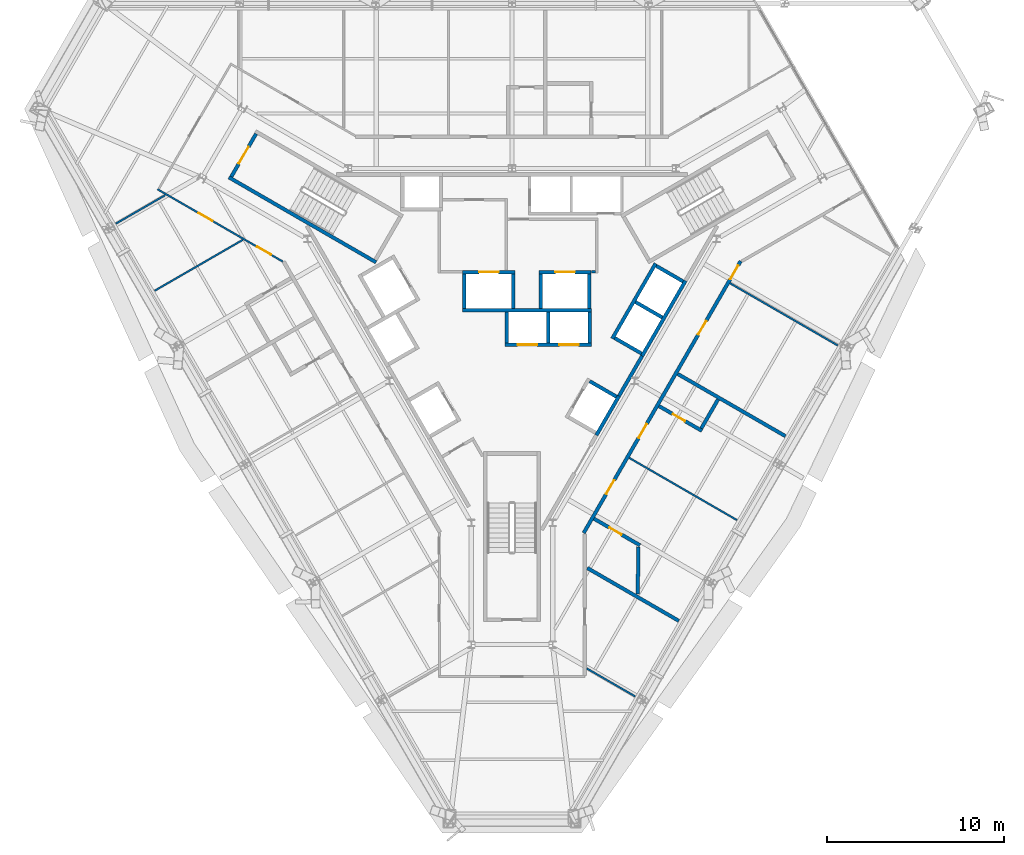
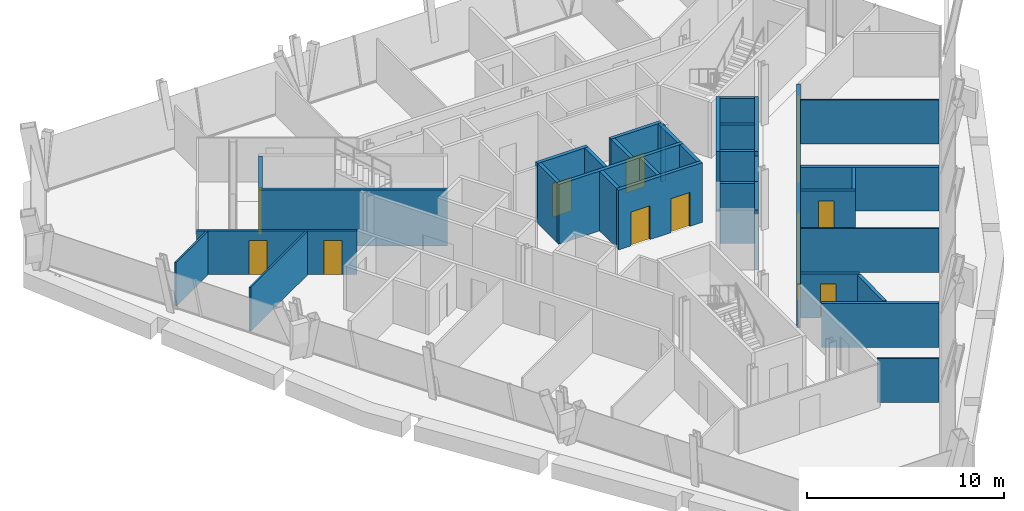
# One storey, part 8 of 12: 35 walls, 13 doors, 13 openings.
"""IFC4 building model written with IfcOpenShell, lengths in metres."""

from ifc_helpers import new_model, si_unit, direction, frame, frame_2d, origin, place, context, subcontext, project, spatial, rectangle, extrude, material, layer, layer_set, type_object, element, fill, save


model = new_model("IFC4")

# Units and contexts
model_context = context("Model", 3, precision=1e-05, world=origin(), true_north=direction((0.0, 1.0)))
body_context = subcontext(model_context, "Body", "Model", "MODEL_VIEW")
ifc_project = project(units=[si_unit("LENGTHUNIT", "METRE"), si_unit("AREAUNIT", "SQUARE_METRE"), si_unit("VOLUMEUNIT", "CUBIC_METRE"), si_unit("PLANEANGLEUNIT", "RADIAN"), si_unit("MASSUNIT", "GRAM", prefix="KILO")], contexts=[model_context])

# Site, building, storey
site_placement = place(None, origin())
site = spatial("IfcSite", under=ifc_project, at=site_placement, CompositionType="ELEMENT")
building_placement = place(site_placement, origin())
building = spatial("IfcBuilding", under=site, at=building_placement, Name="Verrane Prism Tower", CompositionType="ELEMENT")
storey_placement = place(building_placement, frame((0.0, 0.0, 174.699951171875)))
storey = spatial("IfcBuildingStorey", under=building, at=storey_placement, Name="L43", CompositionType="ELEMENT", Elevation=174.699951171875)

# Wall
ifc_material_1 = material(Name="Gypsum board partition", Category="other")
ifc_layer_1 = layer(ifc_material_1, 0.199951171875)
ifc_layer_set_1 = layer_set([ifc_layer_1], Name="CW-200 core boundary wall 2 h")
wall_type_1 = type_object("IfcWallType", Name="CW-200 core boundary wall 2 h", PredefinedType="PARTITIONING", material=ifc_layer_set_1)
wall_1_placement = place(storey_placement, frame((6.0419921875, -4.85498046875, 0.0), z_axis=(0.0, 0.0, 1.0), x_axis=(0.500252727967, 0.865879442048, 0.0)))
element("IfcWall", 1, at=wall_1_placement, inside=storey, type_object=wall_type_1, Name="Core boundary wall CW3-007", PredefinedType="PARTITIONING", context=body_context, shape_type="SweptSolid", body=[
    extrude(rectangle(XDim=2.616943359375, YDim=0.199951171875, at=frame_2d((1.30859375, 0.0))), origin(), (0.0, 0.0, 1.0), 3.449951171875),
])

# Wall, opening, door
ifc_material_2 = material(Name="Concrete C40/50", Category="concrete")
ifc_layer_2 = layer(ifc_material_2, 0.199951171875)
ifc_layer_set_2 = layer_set([ifc_layer_2], Name="CW-200 stair core wall concrete C40/50 3 h")
wall_type_2 = type_object("IfcWallType", Name="CW-200 stair core wall concrete C40/50 3 h", PredefinedType="PARTITIONING", material=ifc_layer_set_2)
wall_2_placement = place(storey_placement, frame((-14.455322265625, 9.96240234375, 0.0), z_axis=(0.0, 0.0, 1.0), x_axis=(-0.500049511043, -0.865996816683, 0.0)))
wall_2 = element("IfcWall", 2, at=wall_2_placement, inside=storey, type_object=wall_type_2, Name="Stair 2 enclosure wall", PredefinedType="PARTITIONING", context=body_context, shape_type="SweptSolid", body=[
    extrude(rectangle(XDim=2.800048828125, YDim=0.199951171875, at=frame_2d((1.39990234375, 0.0))), origin(), (0.0, 0.0, 1.0), 3.449951171875),
])
opening_1_placement = place(wall_2_placement, frame((0.849853515625, 0.0, 0.0)))
opening_1 = element("IfcOpeningElement", 3, at=opening_1_placement, cuts=wall_2, Name="Opening D42501", PredefinedType="OPENING", context=body_context, shape_type="SweptSolid", body=[
    extrude(rectangle(XDim=1.10009765625, YDim=2.10009765625, at=frame_2d((0.550048828125, 1.050048828125))), frame((0.0, 0.10986328125, 0.0), z_axis=(0.0, -1.0, 0.0), x_axis=(1.0, 0.0, 0.0)), (0.0, 0.0, 1.0), 0.219970703125),
])
ifc_material_3 = material(Name="Timber veneered door leaf", Category="wood")
door_type_1 = type_object("IfcDoorType", Name="DR-1100x2100 FD90 single leaf stair", OperationType="NOTDEFINED", PredefinedType="DOOR", material=ifc_material_3)
door_1_placement = place(opening_1_placement, origin())
door_1 = element("IfcDoor", 4, at=door_1_placement, inside=storey, type_object=door_type_1, Name="Stair 2 door", OperationType="SINGLE_SWING_RIGHT", OverallHeight=2.10009765625, OverallWidth=1.10009765625, PredefinedType="DOOR", context=body_context, shape_type="SweptSolid", body=[
    extrude(rectangle(XDim=1.10009765625, YDim=2.10009765625, at=frame_2d((0.550048828125, 1.050048828125))), frame((0.0, 0.02490234375, 0.0), z_axis=(0.0, -1.0, 0.0), x_axis=(1.0, 0.0, 0.0)), (0.0, 0.0, 1.0), 0.050048828125),
])
fill(opening_1, door_1)

# Wall
wall_3_placement = place(storey_placement, frame((-7.67822265625, 2.700927734375, 0.0), z_axis=(0.0, 0.0, 1.0), x_axis=(-0.866019993635, 0.500009370536, 0.0)))
element("IfcWall", 5, at=wall_3_placement, inside=storey, type_object=wall_type_2, Name="Stair 2 enclosure wall", PredefinedType="PARTITIONING", context=body_context, shape_type="SweptSolid", body=[
    extrude(rectangle(XDim=9.599853515625, YDim=0.199951171875, at=frame_2d((4.7998046875, 0.0))), origin(), (0.0, 0.0, 1.0), 3.449951171875),
])

# Wall, openings, doors
ifc_material_4 = material(Name="Gypsum board shaft wall assembly", Category="other")
ifc_layer_3 = layer(ifc_material_4, 0.199951171875)
ifc_layer_set_3 = layer_set([ifc_layer_3], Name="HW-200 lift shaft wall 2 h")
wall_type_3 = type_object("IfcWallType", Name="HW-200 lift shaft wall 2 h", PredefinedType="PARTITIONING", material=ifc_layer_set_3)
wall_4_placement = place(storey_placement, frame((-0.405029296875, -1.949951171875, 0.0), z_axis=(0.0, 0.0, 1.0), x_axis=(1.0, 0.0, 0.0)))
wall_4 = element("IfcWall", 6, at=wall_4_placement, inside=storey, type_object=wall_type_3, Name="Lift shaft wall", PredefinedType="PARTITIONING", context=body_context, shape_type="SweptSolid", body=[
    extrude(rectangle(XDim=4.900146484375, YDim=0.199951171875, at=frame_2d((2.4501953125, 0.0))), origin(), (0.0, 0.0, 1.0), 3.699951171875),
])
opening_2_placement = place(wall_4_placement, frame((0.72509765625, 0.0, 0.0)))
opening_2 = element("IfcOpeningElement", 7, at=opening_2_placement, cuts=wall_4, Name="Opening D42503", PredefinedType="OPENING", context=body_context, shape_type="SweptSolid", body=[
    extrude(rectangle(XDim=1.10009765625, YDim=2.10009765625, at=frame_2d((0.550048828125, 1.050048828125))), frame((0.0, 0.10986328125, 0.0), z_axis=(0.0, -1.0, 0.0), x_axis=(1.0, 0.0, 0.0)), (0.0, 0.0, 1.0), 0.219970703125),
])
opening_3_placement = place(wall_4_placement, frame((3.074951171875, 0.0, 0.0)))
opening_3 = element("IfcOpeningElement", 8, at=opening_3_placement, cuts=wall_4, Name="Opening D42504", PredefinedType="OPENING", context=body_context, shape_type="SweptSolid", body=[
    extrude(rectangle(XDim=1.10009765625, YDim=2.10009765625, at=frame_2d((0.550048828125, 1.050048828125))), frame((0.0, 0.10986328125, 0.0), z_axis=(0.0, -1.0, 0.0), x_axis=(1.0, 0.0, 0.0)), (0.0, 0.0, 1.0), 0.219970703125),
])
ifc_material_5 = material(Name="Stainless steel sliding landing door", Category="steel")
door_type_2 = type_object("IfcDoorType", Name="LD-1100x2100 lift landing door FD90 sliding", OperationType="NOTDEFINED", PredefinedType="DOOR", material=ifc_material_5)
door_2_placement = place(opening_2_placement, origin())
door_2 = element("IfcDoor", 9, at=door_2_placement, inside=storey, type_object=door_type_2, Name="Bank B lift 1 landing door", OperationType="SLIDING_TO_LEFT", OverallHeight=2.10009765625, OverallWidth=1.10009765625, PredefinedType="DOOR", context=body_context, shape_type="SweptSolid", body=[
    extrude(rectangle(XDim=1.10009765625, YDim=2.10009765625, at=frame_2d((0.550048828125, 1.050048828125))), frame((0.0, 0.02490234375, 0.0), z_axis=(0.0, -1.0, 0.0), x_axis=(1.0, 0.0, 0.0)), (0.0, 0.0, 1.0), 0.050048828125),
])
fill(opening_2, door_2)
door_3_placement = place(opening_3_placement, origin())
door_3 = element("IfcDoor", 10, at=door_3_placement, inside=storey, type_object=door_type_2, Name="Bank B lift 2 landing door", OperationType="SLIDING_TO_RIGHT", OverallHeight=2.10009765625, OverallWidth=1.10009765625, PredefinedType="DOOR", context=body_context, shape_type="SweptSolid", body=[
    extrude(rectangle(XDim=1.10009765625, YDim=2.10009765625, at=frame_2d((0.550048828125, 1.050048828125))), frame((0.0, 0.02490234375, 0.0), z_axis=(0.0, -1.0, 0.0), x_axis=(1.0, 0.0, 0.0)), (0.0, 0.0, 1.0), 0.050048828125),
])
fill(opening_3, door_3)

# Wall
wall_5_placement = place(storey_placement, frame((-2.784912109375, 0.0, 0.0), z_axis=(0.0, 0.0, 1.0), x_axis=(1.0, 0.0, 0.0)))
element("IfcWall", 11, at=wall_5_placement, inside=storey, type_object=wall_type_3, Name="Lift shaft wall", PredefinedType="PARTITIONING", context=body_context, shape_type="SweptSolid", body=[
    extrude(rectangle(XDim=7.280029296875, YDim=0.199951171875, at=frame_2d((3.64013671875, 0.0))), origin(), (0.0, 0.0, 1.0), 3.699951171875),
])

# Wall, opening, door
wall_6_placement = place(storey_placement, frame((-2.784912109375, 2.14990234375, 0.0), z_axis=(0.0, 0.0, 1.0), x_axis=(1.0, 0.0, 0.0)))
wall_6 = element("IfcWall", 12, at=wall_6_placement, inside=storey, type_object=wall_type_3, Name="Lift shaft wall", PredefinedType="PARTITIONING", context=body_context, shape_type="SweptSolid", body=[
    extrude(rectangle(XDim=2.949951171875, YDim=0.199951171875, at=frame_2d((1.47509765625, 0.0))), origin(), (0.0, 0.0, 1.0), 3.699951171875),
])
opening_4_placement = place(wall_6_placement, frame((0.925048828125, 0.0, 0.0)))
opening_4 = element("IfcOpeningElement", 13, at=opening_4_placement, cuts=wall_6, Name="Opening D42507", PredefinedType="OPENING", context=body_context, shape_type="SweptSolid", body=[
    extrude(rectangle(XDim=1.10009765625, YDim=2.10009765625, at=frame_2d((0.550048828125, 1.050048828125))), frame((0.0, 0.10986328125, 0.0), z_axis=(0.0, -1.0, 0.0), x_axis=(1.0, 0.0, 0.0)), (0.0, 0.0, 1.0), 0.219970703125),
])
door_4_placement = place(opening_4_placement, origin())
door_4 = element("IfcDoor", 14, at=door_4_placement, inside=storey, type_object=door_type_2, Name="Fire service lift 1 landing door", OperationType="SLIDING_TO_LEFT", OverallHeight=2.10009765625, OverallWidth=1.10009765625, PredefinedType="DOOR", context=body_context, shape_type="SweptSolid", body=[
    extrude(rectangle(XDim=1.10009765625, YDim=2.10009765625, at=frame_2d((0.550048828125, 1.050048828125))), frame((0.0, 0.02490234375, 0.0), z_axis=(0.0, -1.0, 0.0), x_axis=(1.0, 0.0, 0.0)), (0.0, 0.0, 1.0), 0.050048828125),
])
fill(opening_4, door_4)

wall_7_placement = place(storey_placement, frame((1.52490234375, 2.14990234375, 0.0), z_axis=(0.0, 0.0, 1.0), x_axis=(1.0, 0.0, 0.0)))
wall_7 = element("IfcWall", 15, at=wall_7_placement, inside=storey, type_object=wall_type_3, Name="Lift shaft wall", PredefinedType="PARTITIONING", context=body_context, shape_type="SweptSolid", body=[
    extrude(rectangle(XDim=2.9501953125, YDim=0.199951171875, at=frame_2d((1.47509765625, 0.0))), origin(), (0.0, 0.0, 1.0), 3.699951171875),
])
opening_5_placement = place(wall_7_placement, frame((0.925048828125, 0.0, 0.0)))
opening_5 = element("IfcOpeningElement", 16, at=opening_5_placement, cuts=wall_7, Name="Opening D42508", PredefinedType="OPENING", context=body_context, shape_type="SweptSolid", body=[
    extrude(rectangle(XDim=1.10009765625, YDim=2.10009765625, at=frame_2d((0.550048828125, 1.050048828125))), frame((0.0, 0.10986328125, 0.0), z_axis=(0.0, -1.0, 0.0), x_axis=(1.0, 0.0, 0.0)), (0.0, 0.0, 1.0), 0.219970703125),
])
door_5_placement = place(opening_5_placement, origin())
door_5 = element("IfcDoor", 17, at=door_5_placement, inside=storey, type_object=door_type_2, Name="Fire service lift 2 landing door", OperationType="SLIDING_TO_RIGHT", OverallHeight=2.10009765625, OverallWidth=1.10009765625, PredefinedType="DOOR", context=body_context, shape_type="SweptSolid", body=[
    extrude(rectangle(XDim=1.10009765625, YDim=2.10009765625, at=frame_2d((0.550048828125, 1.050048828125))), frame((0.0, 0.02490234375, 0.0), z_axis=(0.0, -1.0, 0.0), x_axis=(1.0, 0.0, 0.0)), (0.0, 0.0, 1.0), 0.050048828125),
])
fill(opening_5, door_5)

# Walls
wall_8_placement = place(storey_placement, frame((4.766357421875, -7.064697265625, 0.0), z_axis=(0.0, 0.0, 1.0), x_axis=(0.499948979701, 0.866054858364, 0.0)))
element("IfcWall", 18, at=wall_8_placement, inside=storey, type_object=wall_type_3, Name="Lift shaft wall", PredefinedType="PARTITIONING", context=body_context, shape_type="SweptSolid", body=[
    extrude(rectangle(XDim=2.550048828125, YDim=0.199951171875, at=frame_2d((1.27490234375, 0.0))), origin(), (0.0, 0.0, 1.0), 3.699951171875),
])
wall_9_placement = place(storey_placement, frame((7.351318359375, -2.587158203125, 0.0), z_axis=(0.0, 0.0, 1.0), x_axis=(0.500002801628, 0.866023786258, 0.0)))
element("IfcWall", 19, at=wall_9_placement, inside=storey, type_object=wall_type_3, Name="Lift shaft wall", PredefinedType="PARTITIONING", context=body_context, shape_type="SweptSolid", body=[
    extrude(rectangle(XDim=4.89990234375, YDim=0.199951171875, at=frame_2d((2.449951171875, 0.0))), origin(), (0.0, 0.0, 1.0), 3.699951171875),
])
wall_10_placement = place(storey_placement, frame((5.66259765625, -1.6123046875, 0.0), z_axis=(0.0, 0.0, 1.0), x_axis=(0.49998122708, 0.866036242063, 0.0)))
element("IfcWall", 20, at=wall_10_placement, inside=storey, type_object=wall_type_3, Name="Lift shaft wall", PredefinedType="PARTITIONING", context=body_context, shape_type="SweptSolid", body=[
    extrude(rectangle(XDim=4.900146484375, YDim=0.199951171875, at=frame_2d((2.4501953125, 0.0))), origin(), (0.0, 0.0, 1.0), 3.699951171875),
])
wall_11_placement = place(storey_placement, frame((4.39501953125, -1.85009765625, 0.0), z_axis=(0.0, 0.0, 1.0), x_axis=(0.0, 1.0, 0.0)))
element("IfcWall", 21, at=wall_11_placement, inside=storey, type_object=wall_type_3, Name="Lift shaft wall", PredefinedType="PARTITIONING", context=body_context, shape_type="SweptSolid", body=[
    extrude(rectangle(XDim=1.75, YDim=0.199951171875, at=frame_2d((0.875, 0.0))), origin(), (0.0, 0.0, 1.0), 3.699951171875),
])
wall_12_placement = place(storey_placement, frame((4.375, 0.10009765625, 0.0), z_axis=(0.0, 0.0, 1.0), x_axis=(0.0, 1.0, 0.0)))
element("IfcWall", 22, at=wall_12_placement, inside=storey, type_object=wall_type_3, Name="Lift shaft wall", PredefinedType="PARTITIONING", context=body_context, shape_type="SweptSolid", body=[
    extrude(rectangle(XDim=1.949951171875, YDim=0.199951171875, at=frame_2d((0.97509765625, 0.0))), origin(), (0.0, 0.0, 1.0), 3.699951171875),
])
wall_13_placement = place(storey_placement, frame((2.044921875, -1.85009765625, 0.0), z_axis=(0.0, 0.0, 1.0), x_axis=(0.0, 1.0, 0.0)))
element("IfcWall", 23, at=wall_13_placement, inside=storey, type_object=wall_type_3, Name="Lift shaft wall", PredefinedType="PARTITIONING", context=body_context, shape_type="SweptSolid", body=[
    extrude(rectangle(XDim=1.75, YDim=0.199951171875, at=frame_2d((0.875, 0.0))), origin(), (0.0, 0.0, 1.0), 3.699951171875),
])
for number, where, z_axis, x_axis, name in (
    (24, (1.625, 0.10009765625, 0.0), (0.0, 0.0, 1.0), (0.0, 1.0, 0.0), "Lift shaft wall"),
    (25, (0.06494140625, 0.10009765625, 0.0), (0.0, 0.0, 1.0), (0.0, 1.0, 0.0), "Lift shaft wall"),
):
    element("IfcWall", number, at=place(storey_placement, frame(where, z_axis=z_axis, x_axis=x_axis)), inside=storey, type_object=wall_type_3, Name=name, PredefinedType="PARTITIONING", context=body_context, shape_type="SweptSolid", body=[
        extrude(rectangle(XDim=1.949951171875, YDim=0.199951171875, at=frame_2d((0.97509765625, 0.0))), origin(), (0.0, 0.0, 1.0), 3.699951171875),
    ])
wall_14_placement = place(storey_placement, frame((-0.304931640625, -1.85009765625, 0.0), z_axis=(0.0, 0.0, 1.0), x_axis=(0.0, 1.0, 0.0)))
element("IfcWall", 26, at=wall_14_placement, inside=storey, type_object=wall_type_3, Name="Lift shaft wall", PredefinedType="PARTITIONING", context=body_context, shape_type="SweptSolid", body=[
    extrude(rectangle(XDim=1.75, YDim=0.199951171875, at=frame_2d((0.875, 0.0))), origin(), (0.0, 0.0, 1.0), 3.699951171875),
])
wall_15_placement = place(storey_placement, frame((-2.68505859375, 0.10009765625, 0.0), z_axis=(0.0, 0.0, 1.0), x_axis=(0.0, 1.0, 0.0)))
element("IfcWall", 27, at=wall_15_placement, inside=storey, type_object=wall_type_3, Name="Lift shaft wall", PredefinedType="PARTITIONING", context=body_context, shape_type="SweptSolid", body=[
    extrude(rectangle(XDim=1.949951171875, YDim=0.199951171875, at=frame_2d((0.97509765625, 0.0))), origin(), (0.0, 0.0, 1.0), 3.699951171875),
])
wall_16_placement = place(storey_placement, frame((9.66455078125, 1.61962890625, 0.0), z_axis=(0.0, 0.0, 1.0), x_axis=(-0.866002029911, 0.500040482552, 0.0)))
element("IfcWall", 28, at=wall_16_placement, inside=storey, type_object=wall_type_3, Name="Lift shaft wall", PredefinedType="PARTITIONING", context=body_context, shape_type="SweptSolid", body=[
    extrude(rectangle(XDim=1.749755859375, YDim=0.199951171875, at=frame_2d((0.875, 0.0))), origin(), (0.0, 0.0, 1.0), 3.699951171875),
])
for number, where, z_axis, x_axis, name in (
    (29, (8.48974609375, -0.41552734375, 0.0), (0.0, 0.0, 1.0), (-0.866036909293, 0.499980071345, 0.0), "Lift shaft wall"),
    (30, (7.314697265625, -2.45068359375, 0.0), (0.0, 0.0, 1.0), (-0.866036909293, 0.499980071345, 0.0), "Lift shaft wall"),
):
    element("IfcWall", number, at=place(storey_placement, frame(where, z_axis=z_axis, x_axis=x_axis)), inside=storey, type_object=wall_type_3, Name=name, PredefinedType="PARTITIONING", context=body_context, shape_type="SweptSolid", body=[
        extrude(rectangle(XDim=1.75, YDim=0.199951171875, at=frame_2d((0.875, 0.0))), origin(), (0.0, 0.0, 1.0), 3.699951171875),
    ])
wall_17_placement = place(storey_placement, frame((5.904541015625, -4.892822265625, 0.0), z_axis=(0.0, 0.0, 1.0), x_axis=(-0.866002029911, 0.500040482552, 0.0)))
element("IfcWall", 31, at=wall_17_placement, inside=storey, type_object=wall_type_3, Name="Lift shaft wall", PredefinedType="PARTITIONING", context=body_context, shape_type="SweptSolid", body=[
    extrude(rectangle(XDim=1.749755859375, YDim=0.199951171875, at=frame_2d((0.875, 0.0))), origin(), (0.0, 0.0, 1.0), 3.699951171875),
])
ifc_material_6 = material(Name="Gypsum board partition", Category="other")
ifc_layer_4 = layer(ifc_material_6, 0.14990234375)
ifc_layer_set_4 = layer_set([ifc_layer_4], Name="LF-150 firefighting lobby wall 1 h")
wall_type_4 = type_object("IfcWallType", Name="LF-150 firefighting lobby wall 1 h", PredefinedType="PARTITIONING", material=ifc_layer_set_4)
wall_18_placement = place(storey_placement, frame((4.47705078125, 2.159912109375, 0.0), z_axis=(0.0, 0.0, 1.0), x_axis=(1.0, 0.0, 0.0)))
element("IfcWall", 32, at=wall_18_placement, inside=storey, type_object=wall_type_4, Name="Firefighting lobby wall LF1-006", PredefinedType="PARTITIONING", context=body_context, shape_type="SweptSolid", body=[
    extrude(rectangle(XDim=0.238037109375, YDim=0.14990234375, at=frame_2d((0.119140625, 0.0))), origin(), (0.0, 0.0, 1.0), 3.449951171875),
])
ifc_material_7 = material(Name="Gypsum board partition", Category="other")
ifc_layer_5 = layer(ifc_material_7, 0.10009765625)
ifc_layer_set_5 = layer_set([ifc_layer_5], Name="PW-100 room partition")
wall_type_5 = type_object("IfcWallType", Name="PW-100 room partition", PredefinedType="PARTITIONING", material=ifc_layer_set_5)
wall_19_placement = place(storey_placement, frame((-22.375, 4.885009765625, 0.0), z_axis=(0.0, 0.0, 1.0), x_axis=(0.866164079783, 0.499759729163, 0.0)))
element("IfcWall", 33, at=wall_19_placement, inside=storey, type_object=wall_type_5, Name="Room partition 001", PredefinedType="PARTITIONING", context=body_context, shape_type="SweptSolid", body=[
    extrude(rectangle(XDim=3.212890625, YDim=0.10009765625, at=frame_2d((1.6064453125, 0.0))), origin(), (0.0, 0.0, 1.0), 2.713134765625),
])
wall_20_placement = place(storey_placement, frame((-20.1865234375, 1.09423828125, 0.0), z_axis=(0.0, 0.0, 1.0), x_axis=(0.866060256018, 0.499939629302, 0.0)))
element("IfcWall", 34, at=wall_20_placement, inside=storey, type_object=wall_type_5, Name="Room partition 002", PredefinedType="PARTITIONING", context=body_context, shape_type="SweptSolid", body=[
    extrude(rectangle(XDim=5.741455078125, YDim=0.10009765625, at=frame_2d((2.87060546875, 0.0))), origin(), (0.0, 0.0, 1.0), 2.713134765625),
])

# Wall, openings, doors
wall_21_placement = place(storey_placement, frame((-12.95166015625, 2.744384765625, 0.0), z_axis=(0.0, 0.0, 1.0), x_axis=(-0.86608949446, 0.499888975259, 0.0)))
wall_21 = element("IfcWall", 35, at=wall_21_placement, inside=storey, type_object=wall_type_5, Name="Room partition 004", PredefinedType="PARTITIONING", context=body_context, shape_type="SweptSolid", body=[
    extrude(rectangle(XDim=8.164794921875, YDim=0.10009765625, at=frame_2d((4.08251953125, 0.0))), origin(), (0.0, 0.0, 1.0), 2.713134765625),
])
opening_6_placement = place(wall_21_placement, frame((4.5810546875, 0.0, 0.0)))
opening_6 = element("IfcOpeningElement", 36, at=opening_6_placement, cuts=wall_21, Name="Opening D42010", PredefinedType="OPENING", context=body_context, shape_type="SweptSolid", body=[
    extrude(rectangle(XDim=0.89990234375, YDim=2.10009765625, at=frame_2d((0.449951171875, 1.050048828125))), frame((0.0, 0.06005859375, 0.0), z_axis=(0.0, -1.0, 0.0), x_axis=(1.0, 0.0, 0.0)), (0.0, 0.0, 1.0), 0.1201171875),
])
opening_7_placement = place(wall_21_placement, frame((0.776123046875, 0.0, 0.0)))
opening_7 = element("IfcOpeningElement", 37, at=opening_7_placement, cuts=wall_21, Name="Opening D42011", PredefinedType="OPENING", context=body_context, shape_type="SweptSolid", body=[
    extrude(rectangle(XDim=0.89990234375, YDim=2.10009765625, at=frame_2d((0.449951171875, 1.050048828125))), frame((0.0, 0.06005859375, 0.0), z_axis=(0.0, -1.0, 0.0), x_axis=(1.0, 0.0, 0.0)), (0.0, 0.0, 1.0), 0.1201171875),
])
ifc_material_8 = material(Name="Timber veneered door leaf", Category="wood")
door_type_3 = type_object("IfcDoorType", Name="DR-900x2100 single leaf inner", OperationType="NOTDEFINED", PredefinedType="DOOR", material=ifc_material_8)
door_6_placement = place(opening_7_placement, origin())
door_6 = element("IfcDoor", 38, at=door_6_placement, inside=storey, type_object=door_type_3, Name="Master Bedroom door", OperationType="SINGLE_SWING_RIGHT", OverallHeight=2.10009765625, OverallWidth=0.89990234375, PredefinedType="DOOR", context=body_context, shape_type="SweptSolid", body=[
    extrude(rectangle(XDim=0.89990234375, YDim=2.10009765625, at=frame_2d((0.449951171875, 1.050048828125))), frame((0.0, 0.02490234375, 0.0), z_axis=(0.0, -1.0, 0.0), x_axis=(1.0, 0.0, 0.0)), (0.0, 0.0, 1.0), 0.050048828125),
])
fill(opening_7, door_6)
ifc_material_9 = material(Name="Timber veneered door leaf", Category="wood")
door_type_4 = type_object("IfcDoorType", Name="DR-900x2100 single leaf unit", OperationType="NOTDEFINED", PredefinedType="DOOR", material=ifc_material_9)
door_7_placement = place(opening_6_placement, origin())
door_7 = element("IfcDoor", 39, at=door_7_placement, inside=storey, type_object=door_type_4, Name="Kitchen door", OperationType="SINGLE_SWING_LEFT", OverallHeight=2.10009765625, OverallWidth=0.89990234375, PredefinedType="DOOR", context=body_context, shape_type="SweptSolid", body=[
    extrude(rectangle(XDim=0.89990234375, YDim=2.10009765625, at=frame_2d((0.449951171875, 1.050048828125))), frame((0.0, 0.02490234375, 0.0), z_axis=(0.0, -1.0, 0.0), x_axis=(1.0, 0.0, 0.0)), (0.0, 0.0, 1.0), 0.050048828125),
])
fill(opening_6, door_7)

# Walls
wall_22_placement = place(storey_placement, frame((4.22509765625, -20.2421875, 0.0), z_axis=(0.0, 0.0, 1.0), x_axis=(0.866015493058, -0.500017165488, 0.0)))
element("IfcWall", 40, at=wall_22_placement, inside=storey, type_object=wall_type_5, Name="Room partition 027", PredefinedType="PARTITIONING", context=body_context, shape_type="SweptSolid", body=[
    extrude(rectangle(XDim=3.1552734375, YDim=0.10009765625, at=frame_2d((1.57763671875, 0.0))), origin(), (0.0, 0.0, 1.0), 2.713134765625),
])
wall_23_placement = place(storey_placement, frame((6.619873046875, -8.346435546875, 0.0), z_axis=(0.0, 0.0, 1.0), x_axis=(0.866005124189, -0.500035123644, 0.0)))
element("IfcWall", 41, at=wall_23_placement, inside=storey, type_object=wall_type_5, Name="Room partition 032", PredefinedType="PARTITIONING", context=body_context, shape_type="SweptSolid", body=[
    extrude(rectangle(XDim=7.029296875, YDim=0.10009765625, at=frame_2d((3.5146484375, 0.0))), origin(), (0.0, 0.0, 1.0), 2.713134765625),
])
wall_24_placement = place(storey_placement, frame((12.310546875, 1.51904296875, 0.0), z_axis=(0.0, 0.0, 1.0), x_axis=(0.86600002964, -0.500043946731, 0.0)))
element("IfcWall", 42, at=wall_24_placement, inside=storey, type_object=wall_type_5, Name="Room partition 039", PredefinedType="PARTITIONING", context=body_context, shape_type="SweptSolid", body=[
    extrude(rectangle(XDim=7.033447265625, YDim=0.10009765625, at=frame_2d((3.5166015625, 0.0))), origin(), (0.0, 0.0, 1.0), 2.713134765625),
])
ifc_material_10 = material(Name="Gypsum board partition", Category="other")
ifc_layer_6 = layer(ifc_material_10, 0.199951171875)
ifc_layer_set_6 = layer_set([ifc_layer_6], Name="PW-200 plumbing wall")
wall_type_6 = type_object("IfcWallType", Name="PW-200 plumbing wall", PredefinedType="PARTITIONING", material=ifc_layer_set_6)
wall_25_placement = place(storey_placement, frame((4.25, -14.565673828125, 0.0), z_axis=(0.0, 0.0, 1.0), x_axis=(0.865990187664, -0.500060991149, 0.0)))
element("IfcWall", 43, at=wall_25_placement, inside=storey, type_object=wall_type_6, Name="Plumbing wall 028", PredefinedType="PARTITIONING", context=body_context, shape_type="SweptSolid", body=[
    extrude(rectangle(XDim=5.971923828125, YDim=0.199951171875, at=frame_2d((2.98583984375, 0.0))), origin(), (0.0, 0.0, 1.0), 2.713134765625),
])

# Wall, openings, doors
wall_26_placement = place(storey_placement, frame((12.91552734375, 2.766845703125, 0.0), z_axis=(0.0, 0.0, 1.0), x_axis=(-0.499999767326, -0.866025538119, 0.0)))
wall_26 = element("IfcWall", 44, at=wall_26_placement, inside=storey, type_object=wall_type_6, Name="Plumbing wall 029", PredefinedType="PARTITIONING", context=body_context, shape_type="SweptSolid", body=[
    extrude(rectangle(XDim=17.73095703125, YDim=0.199951171875, at=frame_2d((8.865478515625, 0.0))), origin(), (0.0, 0.0, 1.0), 2.713134765625),
])
opening_8_placement = place(wall_26_placement, frame((14.29296875, 0.0, 0.0)))
opening_8 = element("IfcOpeningElement", 45, at=opening_8_placement, cuts=wall_26, Name="Opening D42020", PredefinedType="OPENING", context=body_context, shape_type="SweptSolid", body=[
    extrude(rectangle(XDim=0.89990234375, YDim=2.10009765625, at=frame_2d((0.449951171875, 1.050048828125))), frame((0.0, 0.10986328125, 0.0), z_axis=(0.0, -1.0, 0.0), x_axis=(1.0, 0.0, 0.0)), (0.0, 0.0, 1.0), 0.219970703125),
])
opening_9_placement = place(wall_26_placement, frame((10.6220703125, 0.0, 0.0)))
opening_9 = element("IfcOpeningElement", 46, at=opening_9_placement, cuts=wall_26, Name="Opening D42022", PredefinedType="OPENING", context=body_context, shape_type="SweptSolid", body=[
    extrude(rectangle(XDim=0.89990234375, YDim=2.10009765625, at=frame_2d((0.449951171875, 1.050048828125))), frame((0.0, 0.10986328125, 0.0), z_axis=(0.0, -1.0, 0.0), x_axis=(1.0, 0.0, 0.0)), (0.0, 0.0, 1.0), 0.219970703125),
])
opening_10_placement = place(wall_26_placement, frame((3.89697265625, 0.0, 0.0)))
opening_10 = element("IfcOpeningElement", 47, at=opening_10_placement, cuts=wall_26, Name="Opening D42024", PredefinedType="OPENING", context=body_context, shape_type="SweptSolid", body=[
    extrude(rectangle(XDim=0.89990234375, YDim=2.10009765625, at=frame_2d((0.449951171875, 1.050048828125))), frame((0.0, 0.10986328125, 0.0), z_axis=(0.0, -1.0, 0.0), x_axis=(1.0, 0.0, 0.0)), (0.0, 0.0, 1.0), 0.219970703125),
])
opening_11_placement = place(wall_26_placement, frame((0.282958984375, 0.0, 0.0)))
opening_11 = element("IfcOpeningElement", 48, at=opening_11_placement, cuts=wall_26, Name="Opening D42025", PredefinedType="OPENING", context=body_context, shape_type="SweptSolid", body=[
    extrude(rectangle(XDim=0.89990234375, YDim=2.10009765625, at=frame_2d((0.449951171875, 1.050048828125))), frame((0.0, 0.10986328125, 0.0), z_axis=(0.0, -1.0, 0.0), x_axis=(1.0, 0.0, 0.0)), (0.0, 0.0, 1.0), 0.219970703125),
])
door_8_placement = place(opening_8_placement, origin())
door_8 = element("IfcDoor", 49, at=door_8_placement, inside=storey, type_object=door_type_3, Name="Master Bedroom door", OperationType="SINGLE_SWING_LEFT", OverallHeight=2.10009765625, OverallWidth=0.89990234375, PredefinedType="DOOR", context=body_context, shape_type="SweptSolid", body=[
    extrude(rectangle(XDim=0.89990234375, YDim=2.10009765625, at=frame_2d((0.449951171875, 1.050048828125))), frame((0.0, 0.02490234375, 0.0), z_axis=(0.0, -1.0, 0.0), x_axis=(1.0, 0.0, 0.0)), (0.0, 0.0, 1.0), 0.050048828125),
])
fill(opening_8, door_8)
door_9_placement = place(opening_9_placement, origin())
door_9 = element("IfcDoor", 50, at=door_9_placement, inside=storey, type_object=door_type_3, Name="Bedroom door", OperationType="SINGLE_SWING_LEFT", OverallHeight=2.10009765625, OverallWidth=0.89990234375, PredefinedType="DOOR", context=body_context, shape_type="SweptSolid", body=[
    extrude(rectangle(XDim=0.89990234375, YDim=2.10009765625, at=frame_2d((0.449951171875, 1.050048828125))), frame((0.0, 0.02490234375, 0.0), z_axis=(0.0, -1.0, 0.0), x_axis=(1.0, 0.0, 0.0)), (0.0, 0.0, 1.0), 0.050048828125),
])
fill(opening_9, door_9)
door_10_placement = place(opening_10_placement, origin())
door_10 = element("IfcDoor", 51, at=door_10_placement, inside=storey, type_object=door_type_4, Name="Study door", OperationType="SINGLE_SWING_LEFT", OverallHeight=2.10009765625, OverallWidth=0.89990234375, PredefinedType="DOOR", context=body_context, shape_type="SweptSolid", body=[
    extrude(rectangle(XDim=0.89990234375, YDim=2.10009765625, at=frame_2d((0.449951171875, 1.050048828125))), frame((0.0, 0.02490234375, 0.0), z_axis=(0.0, -1.0, 0.0), x_axis=(1.0, 0.0, 0.0)), (0.0, 0.0, 1.0), 0.050048828125),
])
fill(opening_10, door_10)
door_11_placement = place(opening_11_placement, origin())
door_11 = element("IfcDoor", 52, at=door_11_placement, inside=storey, type_object=door_type_4, Name="Study door", OperationType="SINGLE_SWING_RIGHT", OverallHeight=2.10009765625, OverallWidth=0.89990234375, PredefinedType="DOOR", context=body_context, shape_type="SweptSolid", body=[
    extrude(rectangle(XDim=0.89990234375, YDim=2.10009765625, at=frame_2d((0.449951171875, 1.050048828125))), frame((0.0, 0.02490234375, 0.0), z_axis=(0.0, -1.0, 0.0), x_axis=(1.0, 0.0, 0.0)), (0.0, 0.0, 1.0), 0.050048828125),
])
fill(opening_11, door_11)

# Wall, opening, door
wall_27_placement = place(storey_placement, frame((7.228515625, -13.282958984375, 0.0), z_axis=(0.0, 0.0, 1.0), x_axis=(-0.866010750942, 0.50002537861, 0.0)))
wall_27 = element("IfcWall", 53, at=wall_27_placement, inside=storey, type_object=wall_type_6, Name="Plumbing wall 031", PredefinedType="PARTITIONING", context=body_context, shape_type="SweptSolid", body=[
    extrude(rectangle(XDim=2.999755859375, YDim=0.199951171875, at=frame_2d((1.5, 0.0))), origin(), (0.0, 0.0, 1.0), 2.713134765625),
])
opening_12_placement = place(wall_27_placement, frame((1.199951171875, 0.0, 0.0)))
opening_12 = element("IfcOpeningElement", 54, at=opening_12_placement, cuts=wall_27, Name="Opening D42021", PredefinedType="OPENING", context=body_context, shape_type="SweptSolid", body=[
    extrude(rectangle(XDim=0.800048828125, YDim=2.10009765625, at=frame_2d((0.39990234375, 1.050048828125))), frame((0.0, 0.10986328125, 0.0), z_axis=(0.0, -1.0, 0.0), x_axis=(1.0, 0.0, 0.0)), (0.0, 0.0, 1.0), 0.219970703125),
])
ifc_material_11 = material(Name="Timber veneered door leaf", Category="wood")
door_type_5 = type_object("IfcDoorType", Name="DR-800x2100 single leaf bath", OperationType="NOTDEFINED", PredefinedType="DOOR", material=ifc_material_11)
door_12_placement = place(opening_12_placement, origin())
door_12 = element("IfcDoor", 55, at=door_12_placement, inside=storey, type_object=door_type_5, Name="Master Bathroom door", OperationType="SINGLE_SWING_RIGHT", OverallHeight=2.10009765625, OverallWidth=0.800048828125, PredefinedType="DOOR", context=body_context, shape_type="SweptSolid", body=[
    extrude(rectangle(XDim=0.800048828125, YDim=2.10009765625, at=frame_2d((0.39990234375, 1.050048828125))), frame((0.0, 0.02490234375, 0.0), z_axis=(0.0, -1.0, 0.0), x_axis=(1.0, 0.0, 0.0)), (0.0, 0.0, 1.0), 0.050048828125),
])
fill(opening_12, door_12)

# Wall
wall_28_placement = place(storey_placement, frame((7.102294921875, -16.04052734375, 0.0), z_axis=(0.0, 0.0, 1.0), x_axis=(0.014157711251, 0.999899774584, 0.0)))
element("IfcWall", 56, at=wall_28_placement, inside=storey, type_object=wall_type_6, Name="Plumbing wall 033", PredefinedType="PARTITIONING", context=body_context, shape_type="SweptSolid", body=[
    extrude(rectangle(XDim=2.6728515625, YDim=0.199951171875, at=frame_2d((1.33642578125, 0.0))), origin(), (0.0, 0.0, 1.0), 2.713134765625),
])

# Wall, opening, door
wall_29_placement = place(storey_placement, frame((8.307861328125, -5.423583984375, 0.0), z_axis=(0.0, 0.0, 1.0), x_axis=(0.866041588165, -0.499971966783, 0.0)))
wall_29 = element("IfcWall", 57, at=wall_29_placement, inside=storey, type_object=wall_type_6, Name="Plumbing wall 034", PredefinedType="PARTITIONING", context=body_context, shape_type="SweptSolid", body=[
    extrude(rectangle(XDim=2.795166015625, YDim=0.199951171875, at=frame_2d((1.3974609375, 0.0))), origin(), (0.0, 0.0, 1.0), 2.713134765625),
])
opening_13_placement = place(wall_29_placement, frame((0.89501953125, 0.0, 0.0)))
opening_13 = element("IfcOpeningElement", 58, at=opening_13_placement, cuts=wall_29, Name="Opening D42023", PredefinedType="OPENING", context=body_context, shape_type="SweptSolid", body=[
    extrude(rectangle(XDim=0.800048828125, YDim=2.10009765625, at=frame_2d((0.39990234375, 1.050048828125))), frame((0.0, 0.10986328125, 0.0), z_axis=(0.0, -1.0, 0.0), x_axis=(1.0, 0.0, 0.0)), (0.0, 0.0, 1.0), 0.219970703125),
])
door_13_placement = place(opening_13_placement, origin())
door_13 = element("IfcDoor", 59, at=door_13_placement, inside=storey, type_object=door_type_5, Name="Bathroom door", OperationType="SINGLE_SWING_LEFT", OverallHeight=2.10009765625, OverallWidth=0.800048828125, PredefinedType="DOOR", context=body_context, shape_type="SweptSolid", body=[
    extrude(rectangle(XDim=0.800048828125, YDim=2.10009765625, at=frame_2d((0.39990234375, 1.050048828125))), frame((0.0, 0.02490234375, 0.0), z_axis=(0.0, -1.0, 0.0), x_axis=(1.0, 0.0, 0.0)), (0.0, 0.0, 1.0), 0.050048828125),
])
fill(opening_13, door_13)

# Walls
wall_30_placement = place(storey_placement, frame((9.35791015625, -3.6044921875, 0.0), z_axis=(0.0, 0.0, 1.0), x_axis=(0.866011480283, -0.500024115436, 0.0)))
element("IfcWall", 60, at=wall_30_placement, inside=storey, type_object=wall_type_6, Name="Plumbing wall 037", PredefinedType="PARTITIONING", context=body_context, shape_type="SweptSolid", body=[
    extrude(rectangle(XDim=7.029052734375, YDim=0.199951171875, at=frame_2d((3.5146484375, 0.0))), origin(), (0.0, 0.0, 1.0), 2.713134765625),
])
wall_31_placement = place(storey_placement, frame((10.69189453125, -6.684326171875, 0.0), z_axis=(0.0, 0.0, 1.0), x_axis=(0.499949193323, 0.866054735046, 0.0)))
element("IfcWall", 61, at=wall_31_placement, inside=storey, type_object=wall_type_6, Name="Plumbing wall 038", PredefinedType="PARTITIONING", context=body_context, shape_type="SweptSolid", body=[
    extrude(rectangle(XDim=1.895263671875, YDim=0.199951171875, at=frame_2d((0.94775390625, 0.0))), origin(), (0.0, 0.0, 1.0), 2.713134765625),
])

save(model, "model.ifc")
